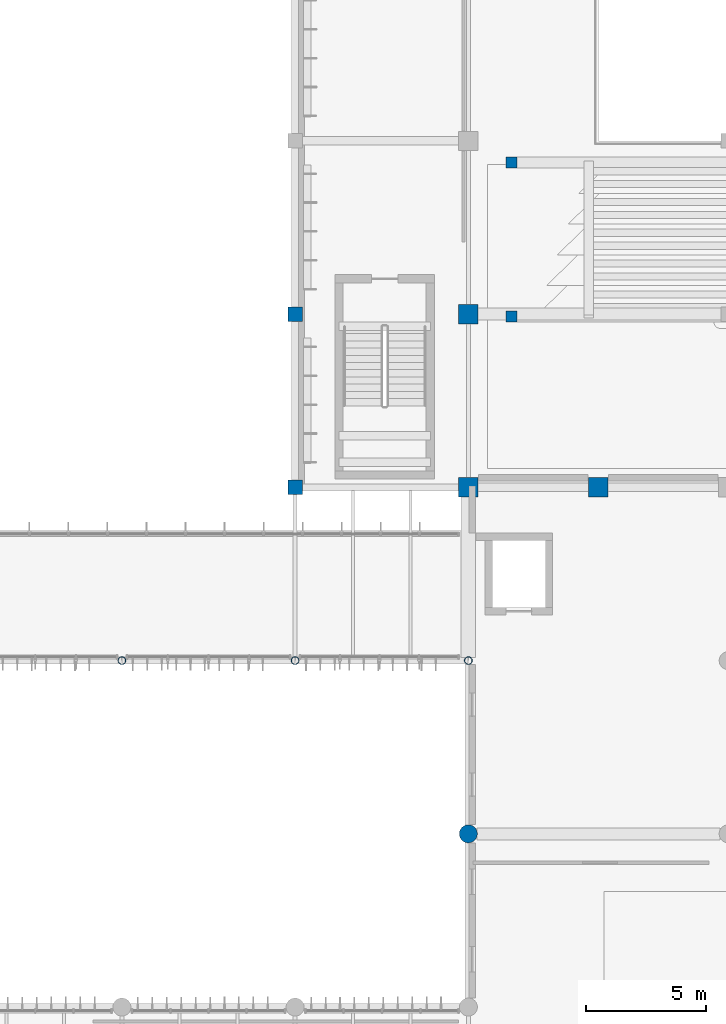
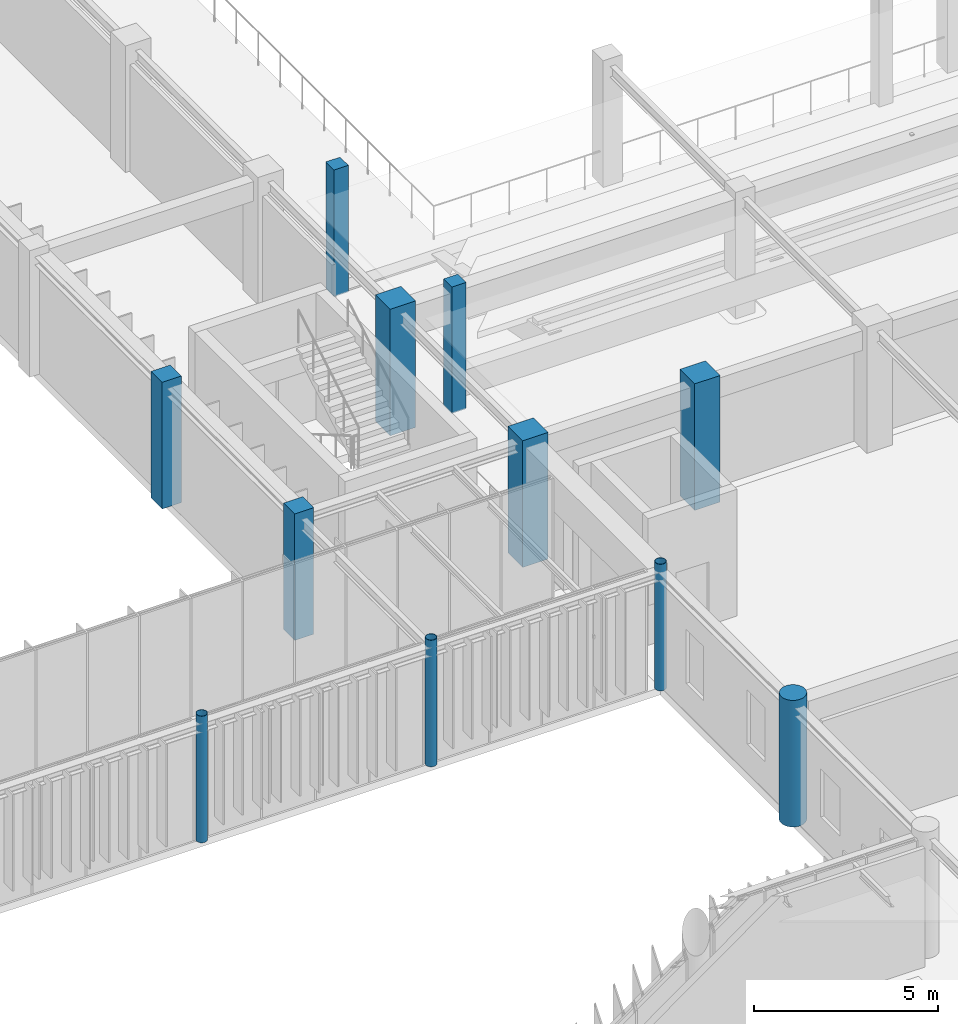
# One storey, part 3 of 122: 11 columns.
"""IFC4 building model written with IfcOpenShell, lengths in metres."""

from ifc_helpers import new_model, si_unit, direction, frame, origin, origin_2d, place, context, subcontext, project, spatial, rectangle, circle, hollow_circle, extrude, material, material_profile, profile_set, type_object, element, save


model = new_model("IFC4")

# Units and contexts
model_context = context("Model", 3, precision=1e-05, world=origin(), true_north=direction((0.0, 1.0)))
body_context = subcontext(model_context, "Body", "Model", "MODEL_VIEW")
ifc_project = project(units=[si_unit("LENGTHUNIT", "METRE"), si_unit("AREAUNIT", "SQUARE_METRE"), si_unit("VOLUMEUNIT", "CUBIC_METRE"), si_unit("PLANEANGLEUNIT", "RADIAN"), si_unit("MASSUNIT", "GRAM", prefix="KILO")], contexts=[model_context])

# Site, building, storey
site_placement = place(None, origin())
site = spatial("IfcSite", under=ifc_project, at=site_placement, CompositionType="ELEMENT")
building_placement = place(site_placement, origin())
building = spatial("IfcBuilding", under=site, at=building_placement, Name="Tazoul Stagehouse", CompositionType="ELEMENT")
storey_placement = place(building_placement, frame((0.0, 0.0, 4.800048828125)))
storey = spatial("IfcBuildingStorey", under=building, at=storey_placement, Name="L01", CompositionType="ELEMENT", Elevation=4.800048828125)

# Columns
ifc_material_1 = material(Name="Concrete C40/50", Category="concrete")
ifc_material_profile_1 = material_profile(ifc_material_1, circle(Radius=0.375, at=origin_2d()), Name="RC D750")
ifc_profile_set_1 = profile_set([ifc_material_profile_1], Name="Concrete C40/50")
column_type_1 = type_object("IfcColumnType", Name="RC Circular Column D750 (Exterior)", PredefinedType="COLUMN", material=ifc_profile_set_1)
column_1_placement = place(storey_placement, frame((57.60009765625, 37.39990234375, 0.0), z_axis=(0.0, 0.0, 1.0), x_axis=(1.0, 0.0, 0.0)))
element("IfcColumn", 1, at=column_1_placement, inside=storey, type_object=column_type_1, Name="L01 Column C-08E at 8/F", PredefinedType="COLUMN", context=body_context, shape_type="SweptSolid", body=[
    extrude(circle(Radius=0.375, at=origin_2d()), origin(), (0.0, 0.0, 1.0), 4.199951171875),
])
ifc_material_profile_2 = material_profile(ifc_material_1, rectangle(XDim=0.449951171875, YDim=0.449951171875, at=origin_2d()), Name="RC 450x450")
ifc_profile_set_2 = profile_set([ifc_material_profile_2], Name="Concrete C40/50")
column_type_2 = type_object("IfcColumnType", Name="RC Column 450x450", PredefinedType="COLUMN", material=ifc_profile_set_2)
for number, where, z_axis, x_axis, name in (
    (2, (59.39990234375, 58.89990234375, 0.0), (0.0, 0.0, 1.0), (1.0, 0.0, 0.0), "L01 Bowl Support Column C-01 (V1-DRESS-RER-1)"),
    (3, (59.39990234375, 65.300048828125, 0.0), (0.0, 0.0, 1.0), (1.0, 0.0, 0.0), "L01 Bowl Support Column C-01 (V1-UPPER-FRT-1)"),
):
    element("IfcColumn", number, at=place(storey_placement, frame(where, z_axis=z_axis, x_axis=x_axis)), inside=storey, type_object=column_type_2, Name=name, PredefinedType="COLUMN", context=body_context, shape_type="SweptSolid", body=[
        extrude(rectangle(XDim=0.449951171875, YDim=0.449951171875, at=origin_2d()), origin(), (0.0, 0.0, 1.0), 4.199951171875),
    ])
ifc_material_profile_3 = material_profile(ifc_material_1, rectangle(XDim=0.60009765625, YDim=0.60009765625, at=origin_2d()), Name="RC 600x600")
ifc_profile_set_3 = profile_set([ifc_material_profile_3], Name="Concrete C40/50")
column_type_3 = type_object("IfcColumnType", Name="RC Column 600x600 (Exterior)", PredefinedType="COLUMN", material=ifc_profile_set_3)
for number, where, z_axis, x_axis, name in (
    (4, (50.39990234375, 51.800048828125, 0.0), (0.0, 0.0, 1.0), (1.0, 0.0, 0.0), "L01 Column C-03E at 7/H"),
    (5, (50.39990234375, 59.0, 0.0), (0.0, 0.0, 1.0), (1.0, 0.0, 0.0), "L01 Column C-03E at 7/J"),
):
    element("IfcColumn", number, at=place(storey_placement, frame(where, z_axis=z_axis, x_axis=x_axis)), inside=storey, type_object=column_type_3, Name=name, PredefinedType="COLUMN", context=body_context, shape_type="SweptSolid", body=[
        extrude(rectangle(XDim=0.60009765625, YDim=0.60009765625, at=origin_2d()), origin(), (0.0, 0.0, 1.0), 4.199951171875),
    ])
ifc_material_profile_4 = material_profile(ifc_material_1, rectangle(XDim=0.800048828125, YDim=0.800048828125, at=origin_2d()), Name="RC 800x800")
ifc_profile_set_4 = profile_set([ifc_material_profile_4], Name="Concrete C40/50")
column_type_4 = type_object("IfcColumnType", Name="RC Column 800x800", PredefinedType="COLUMN", material=ifc_profile_set_4)
for number, where, z_axis, x_axis, name in (
    (6, (57.60009765625, 59.0, 0.0), (0.0, 0.0, 1.0), (1.0, 0.0, 0.0), "L01 Column C-05 at 8/J"),
    (7, (63.0, 51.800048828125, 0.0), (0.0, 0.0, 1.0), (1.0, 0.0, 0.0), "L01 Column C-05 at 9/H"),
):
    element("IfcColumn", number, at=place(storey_placement, frame(where, z_axis=z_axis, x_axis=x_axis)), inside=storey, type_object=column_type_4, Name=name, PredefinedType="COLUMN", context=body_context, shape_type="SweptSolid", body=[
        extrude(rectangle(XDim=0.800048828125, YDim=0.800048828125, at=origin_2d()), origin(), (0.0, 0.0, 1.0), 4.199951171875),
    ])
ifc_material_profile_5 = material_profile(ifc_material_1, rectangle(XDim=0.800048828125, YDim=0.800048828125, at=origin_2d()), Name="RC 800x800")
ifc_profile_set_5 = profile_set([ifc_material_profile_5], Name="Concrete C40/50")
column_type_5 = type_object("IfcColumnType", Name="RC Column 800x800 (Exterior)", PredefinedType="COLUMN", material=ifc_profile_set_5)
column_2_placement = place(storey_placement, frame((57.60009765625, 51.800048828125, 0.0), z_axis=(0.0, 0.0, 1.0), x_axis=(1.0, 0.0, 0.0)))
element("IfcColumn", 8, at=column_2_placement, inside=storey, type_object=column_type_5, Name="L01 Column C-05E at 8/H", PredefinedType="COLUMN", context=body_context, shape_type="SweptSolid", body=[
    extrude(rectangle(XDim=0.800048828125, YDim=0.800048828125, at=origin_2d()), origin(), (0.0, 0.0, 1.0), 4.199951171875),
])
ifc_material_2 = material(Name="Steel S355", Category="steel")
ifc_material_profile_6 = material_profile(ifc_material_2, hollow_circle(Radius=0.161865234375, WallThickness=0.012451171875, at=origin_2d()), Name="CHS 323.9x12.5")
ifc_profile_set_6 = profile_set([ifc_material_profile_6], Name="Steel S355")
column_type_6 = type_object("IfcColumnType", Name="Steel Arcade Column CHS 323.9x12.5 (Exterior)", PredefinedType="COLUMN", material=ifc_profile_set_6)
for number, where, z_axis, x_axis, name in (
    (9, (43.199951171875, 44.60009765625, 0.0), (0.0, 0.0, 1.0), (1.0, 0.0, 0.0), "L01 Column SC-07E at 6/G"),
    (10, (50.39990234375, 44.60009765625, 0.0), (0.0, 0.0, 1.0), (1.0, 0.0, 0.0), "L01 Column SC-07E at 7/G"),
    (11, (57.60009765625, 44.60009765625, 0.0), (0.0, 0.0, 1.0), (1.0, 0.0, 0.0), "L01 Column SC-07E at 8/G"),
):
    element("IfcColumn", number, at=place(storey_placement, frame(where, z_axis=z_axis, x_axis=x_axis)), inside=storey, type_object=column_type_6, Name=name, PredefinedType="COLUMN", context=body_context, shape_type="SweptSolid", body=[
        extrude(hollow_circle(Radius=0.161865234375, WallThickness=0.012451171875, at=origin_2d()), origin(), (0.0, 0.0, 1.0), 4.199951171875),
    ])

save(model, "model.ifc")
